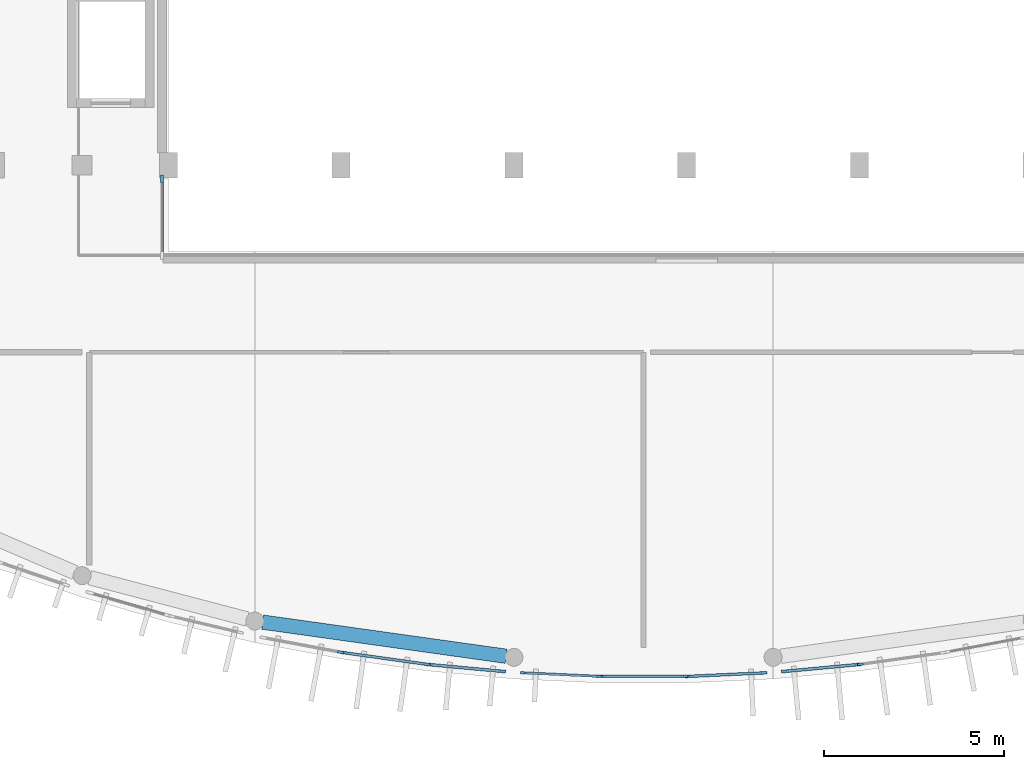
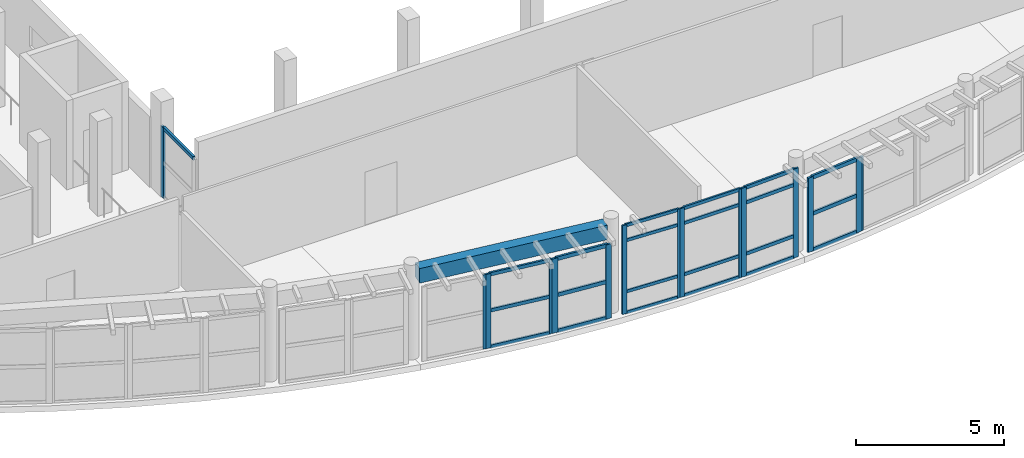
# One storey, part 4 of 32: 37 members, 1 beam, 9 elements without a shape of their own.
"""IFC4 building model written with IfcOpenShell, lengths in metres."""

from ifc_helpers import new_model, si_unit, direction, frame, origin, origin_2d, place, context, subcontext, project, spatial, rectangle, extrude, material, layer, layer_set, material_profile, profile_set, type_object, element, aggregate, save


model = new_model("IFC4")

# Units and contexts
model_context = context("Model", 3, precision=1e-05, world=origin(), true_north=direction((0.0, 1.0)))
body_context = subcontext(model_context, "Body", "Model", "MODEL_VIEW")
ifc_project = project(units=[si_unit("LENGTHUNIT", "METRE"), si_unit("AREAUNIT", "SQUARE_METRE"), si_unit("VOLUMEUNIT", "CUBIC_METRE"), si_unit("PLANEANGLEUNIT", "RADIAN"), si_unit("MASSUNIT", "GRAM", prefix="KILO")], contexts=[model_context])

# Site, building, storey
site_placement = place(None, origin())
site = spatial("IfcSite", under=ifc_project, at=site_placement, CompositionType="ELEMENT")
building_placement = place(site_placement, origin())
building = spatial("IfcBuilding", under=site, at=building_placement, Name="Brisavento Harbour Community Centre", CompositionType="ELEMENT")
storey_placement = place(building_placement, frame((0.0, 0.0, 12.89990234375)))
storey = spatial("IfcBuildingStorey", under=building, at=storey_placement, Name="L03", CompositionType="ELEMENT", Elevation=12.89990234375)

# Beam
ifc_material_1 = material(Name="Concrete C35/45", Category="concrete")
ifc_material_profile_1 = material_profile(ifc_material_1, rectangle(XDim=0.39990234375, YDim=0.60009765625, at=origin_2d()), Name="Concrete C35/45")
ifc_profile_set_1 = profile_set([ifc_material_profile_1], Name="Concrete C35/45")
beam_type = type_object("IfcBeamType", Name="BM-SPN-400x600", PredefinedType="SPANDREL", material=ifc_profile_set_1)
beam_placement = place(storey_placement, frame((14.617919921875, 1.703369140625, 3.360107421875), z_axis=(0.990321318847, -0.138793679386, 0.0), x_axis=(0.138793679386, 0.990321318847, 0.0)))
element("IfcBeam", 1, at=beam_placement, inside=storey, type_object=beam_type, Name="L03 curved perimeter spandrel 0677", PredefinedType="SPANDREL", context=body_context, shape_type="SweptSolid", body=[
    extrude(rectangle(XDim=0.39990234375, YDim=0.60009765625, at=origin_2d()), origin(), (0.0, 0.0, 1.0), 6.830322265625),
])

# Curtain wall, members
ifc_material_2 = material(Name="Marine-anodised aluminium AW-6063-T6", Category="aluminium")
ifc_layer_1 = layer(ifc_material_2, 0.179931640625, Name="Marine-anodised aluminium AW-6063-T6")
ifc_layer_set_1 = layer_set([ifc_layer_1], Name="Marine-anodised aluminium AW-6063-T6")
curtain_wall_type_1 = type_object("IfcCurtainWallType", Name="CW-SYS-21", PredefinedType="USERDEFINED", material=ifc_layer_set_1)
curtain_wall_1_placement = place(storey_placement, origin())
curtain_wall_1 = element("IfcCurtainWall", 2, at=curtain_wall_1_placement, inside=storey, type_object=curtain_wall_type_1, Name="L03 V1 unitised curtain wall 161", ObjectType="UNITISED CURTAIN WALL", PredefinedType="USERDEFINED")
ifc_material_profile_2 = material_profile(ifc_material_2, rectangle(XDim=0.06494140625, YDim=0.1650390625, at=origin_2d()), Name="Marine-anodised aluminium AW-6063-T6")
ifc_profile_set_2 = profile_set([ifc_material_profile_2], Name="Marine-anodised aluminium AW-6063-T6")
member_type_1 = type_object("IfcMemberType", Name="CWM-01", PredefinedType="MULLION", material=ifc_profile_set_2)
member_1_placement = place(storey_placement, frame((23.957763671875, 0.196044921875, 0.0), z_axis=(0.0, 0.0, 1.0), x_axis=(-0.046167846582, -0.998933696469, 0.0)))
member_1 = element("IfcMember", 3, at=member_1_placement, type_object=member_type_1, Name="CW-21 mullion 1", PredefinedType="MULLION", context=body_context, shape_type="SweptSolid", body=[
    extrude(rectangle(XDim=0.06494140625, YDim=0.1650390625, at=origin_2d()), origin(), (0.0, 0.0, 1.0), 3.66015625),
])
member_2_placement = place(storey_placement, frame((21.859130859375, 0.29296875, 0.0), z_axis=(0.0, 0.0, 1.0), x_axis=(-0.046167846582, -0.998933696469, 0.0)))
member_2 = element("IfcMember", 4, at=member_2_placement, type_object=member_type_1, Name="CW-21 mullion 2", PredefinedType="MULLION", context=body_context, shape_type="SweptSolid", body=[
    extrude(rectangle(XDim=0.06494140625, YDim=0.1650390625, at=origin_2d()), origin(), (0.0, 0.0, 1.0), 3.66015625),
])

# Curtain wall, member
ifc_layer_2 = layer(ifc_material_2, 0.179931640625, Name="Marine-anodised aluminium AW-6063-T6")
ifc_layer_set_2 = layer_set([ifc_layer_2], Name="Marine-anodised aluminium AW-6063-T6")
curtain_wall_type_2 = type_object("IfcCurtainWallType", Name="CW-SYS-25", PredefinedType="USERDEFINED", material=ifc_layer_set_2)
curtain_wall_2_placement = place(storey_placement, origin())
curtain_wall_2 = element("IfcCurtainWall", 5, at=curtain_wall_2_placement, inside=storey, type_object=curtain_wall_type_2, Name="L03 V1 unitised curtain wall 165", ObjectType="UNITISED CURTAIN WALL", PredefinedType="USERDEFINED")
member_3_placement = place(storey_placement, frame((31.22509765625, 0.53271484375, 0.0), z_axis=(0.0, 0.0, 1.0), x_axis=(0.138476944024, -0.990365657711, 0.0)))
member_3 = element("IfcMember", 6, at=member_3_placement, type_object=member_type_1, Name="CW-25 mullion 2", PredefinedType="MULLION", context=body_context, shape_type="SweptSolid", body=[
    extrude(rectangle(XDim=0.06494140625, YDim=0.1650390625, at=origin_2d()), origin(), (0.0, 0.0, 1.0), 3.06005859375),
])
aggregate(curtain_wall_2, [member_3])

ifc_layer_3 = layer(ifc_material_2, 0.179931640625, Name="Marine-anodised aluminium AW-6063-T6")
ifc_layer_set_3 = layer_set([ifc_layer_3], Name="Marine-anodised aluminium AW-6063-T6")
curtain_wall_type_3 = type_object("IfcCurtainWallType", Name="CW-SYS-18", PredefinedType="USERDEFINED", material=ifc_layer_set_3)
curtain_wall_3_placement = place(storey_placement, origin())
curtain_wall_3 = element("IfcCurtainWall", 7, at=curtain_wall_3_placement, inside=storey, type_object=curtain_wall_type_3, Name="L03 V1 unitised curtain wall 158", ObjectType="UNITISED CURTAIN WALL", PredefinedType="USERDEFINED")
ifc_material_profile_3 = material_profile(ifc_material_2, rectangle(XDim=0.070068359375, YDim=0.179931640625, at=origin_2d()), Name="Marine-anodised aluminium AW-6063-T6")
ifc_profile_set_3 = profile_set([ifc_material_profile_3], Name="Marine-anodised aluminium AW-6063-T6")
member_type_2 = type_object("IfcMemberType", Name="CWM-02", PredefinedType="MULLION", material=ifc_profile_set_3)
member_4_placement = place(storey_placement, frame((16.781005859375, 0.86962890625, 0.0), z_axis=(0.0, 0.0, 1.0), x_axis=(-0.184689637418, -0.982796895513, 0.0)))
member_4 = element("IfcMember", 8, at=member_4_placement, type_object=member_type_2, Name="CW-18 mullion 1", PredefinedType="MULLION", context=body_context, shape_type="SweptSolid", body=[
    extrude(rectangle(XDim=0.070068359375, YDim=0.179931640625, at=origin_2d()), origin(), (0.0, 0.0, 1.0), 3.06005859375),
])
aggregate(curtain_wall_3, [member_4])

# Curtain wall, members
ifc_layer_4 = layer(ifc_material_2, 0.179931640625, Name="Marine-anodised aluminium AW-6063-T6")
ifc_layer_set_4 = layer_set([ifc_layer_4], Name="Marine-anodised aluminium AW-6063-T6")
curtain_wall_type_4 = type_object("IfcCurtainWallType", Name="CW-SYS-22", PredefinedType="USERDEFINED", material=ifc_layer_set_4)
curtain_wall_4_placement = place(storey_placement, origin())
curtain_wall_4 = element("IfcCurtainWall", 9, at=curtain_wall_4_placement, inside=storey, type_object=curtain_wall_type_4, Name="L03 V1 unitised curtain wall 162", ObjectType="UNITISED CURTAIN WALL", PredefinedType="USERDEFINED")
member_5_placement = place(storey_placement, frame((26.346923828125, 0.19384765625, 0.0), z_axis=(0.0, 0.0, 1.0), x_axis=(0.0, -1.0, 0.0)))
member_5 = element("IfcMember", 10, at=member_5_placement, type_object=member_type_2, Name="CW-22 mullion 1", PredefinedType="MULLION", context=body_context, shape_type="SweptSolid", body=[
    extrude(rectangle(XDim=0.070068359375, YDim=0.179931640625, at=origin_2d()), origin(), (0.0, 0.0, 1.0), 3.66015625),
])
member_6_placement = place(storey_placement, frame((24.052978515625, 0.19384765625, 0.0), z_axis=(0.0, 0.0, 1.0), x_axis=(0.0, -1.0, 0.0)))
member_6 = element("IfcMember", 11, at=member_6_placement, type_object=member_type_2, Name="CW-22 mullion 2", PredefinedType="MULLION", context=body_context, shape_type="SweptSolid", body=[
    extrude(rectangle(XDim=0.070068359375, YDim=0.179931640625, at=origin_2d()), origin(), (0.0, 0.0, 1.0), 3.66015625),
])

ifc_layer_5 = layer(ifc_material_2, 0.179931640625, Name="Marine-anodised aluminium AW-6063-T6")
ifc_layer_set_5 = layer_set([ifc_layer_5], Name="Marine-anodised aluminium AW-6063-T6")
curtain_wall_type_5 = type_object("IfcCurtainWallType", Name="CW-SYS-19", PredefinedType="USERDEFINED", material=ifc_layer_set_5)
curtain_wall_5_placement = place(storey_placement, origin())
curtain_wall_5 = element("IfcCurtainWall", 12, at=curtain_wall_5_placement, inside=storey, type_object=curtain_wall_type_5, Name="L03 V1 unitised curtain wall 159", ObjectType="UNITISED CURTAIN WALL", PredefinedType="USERDEFINED")
ifc_material_profile_4 = material_profile(ifc_material_2, rectangle(XDim=0.074951171875, YDim=0.18994140625, at=origin_2d()), Name="Marine-anodised aluminium AW-6063-T6")
ifc_profile_set_4 = profile_set([ifc_material_profile_4], Name="Marine-anodised aluminium AW-6063-T6")
member_type_3 = type_object("IfcMemberType", Name="CWM-03", PredefinedType="MULLION", material=ifc_profile_set_4)
member_7_placement = place(storey_placement, frame((19.169921875, 0.533203125, 0.0), z_axis=(0.0, 0.0, 1.0), x_axis=(-0.138476944024, -0.990365657711, 0.0)))
member_7 = element("IfcMember", 13, at=member_7_placement, type_object=member_type_3, Name="CW-19 mullion 1", PredefinedType="MULLION", context=body_context, shape_type="SweptSolid", body=[
    extrude(rectangle(XDim=0.074951171875, YDim=0.18994140625, at=origin_2d()), origin(), (0.0, 0.0, 1.0), 3.06005859375),
])
member_8_placement = place(storey_placement, frame((16.8798828125, 0.853515625, 0.0), z_axis=(0.0, 0.0, 1.0), x_axis=(-0.138476944024, -0.990365657711, 0.0)))
member_8 = element("IfcMember", 14, at=member_8_placement, type_object=member_type_3, Name="CW-19 mullion 2", PredefinedType="MULLION", context=body_context, shape_type="SweptSolid", body=[
    extrude(rectangle(XDim=0.074951171875, YDim=0.18994140625, at=origin_2d()), origin(), (0.0, 0.0, 1.0), 3.06005859375),
])

ifc_layer_6 = layer(ifc_material_2, 0.179931640625, Name="Marine-anodised aluminium AW-6063-T6")
ifc_layer_set_6 = layer_set([ifc_layer_6], Name="Marine-anodised aluminium AW-6063-T6")
curtain_wall_type_6 = type_object("IfcCurtainWallType", Name="CW-SYS-23", PredefinedType="USERDEFINED", material=ifc_layer_set_6)
curtain_wall_6_placement = place(storey_placement, origin())
curtain_wall_6 = element("IfcCurtainWall", 15, at=curtain_wall_6_placement, inside=storey, type_object=curtain_wall_type_6, Name="L03 V1 unitised curtain wall 163", ObjectType="UNITISED CURTAIN WALL", PredefinedType="USERDEFINED")
member_9_placement = place(storey_placement, frame((28.535888671875, 0.292724609375, 0.0), z_axis=(0.0, 0.0, 1.0), x_axis=(0.046167846582, -0.998933696469, 0.0)))
member_9 = element("IfcMember", 16, at=member_9_placement, type_object=member_type_3, Name="CW-23 mullion 1", PredefinedType="MULLION", context=body_context, shape_type="SweptSolid", body=[
    extrude(rectangle(XDim=0.074951171875, YDim=0.18994140625, at=origin_2d()), origin(), (0.0, 0.0, 1.0), 3.66015625),
])
member_10_placement = place(storey_placement, frame((26.447265625, 0.1962890625, 0.0), z_axis=(0.0, 0.0, 1.0), x_axis=(0.046167846582, -0.998933696469, 0.0)))
member_10 = element("IfcMember", 17, at=member_10_placement, type_object=member_type_3, Name="CW-23 mullion 2", PredefinedType="MULLION", context=body_context, shape_type="SweptSolid", body=[
    extrude(rectangle(XDim=0.074951171875, YDim=0.18994140625, at=origin_2d()), origin(), (0.0, 0.0, 1.0), 3.66015625),
])

ifc_layer_7 = layer(ifc_material_2, 0.179931640625, Name="Marine-anodised aluminium AW-6063-T6")
ifc_layer_set_7 = layer_set([ifc_layer_7], Name="Marine-anodised aluminium AW-6063-T6")
curtain_wall_type_7 = type_object("IfcCurtainWallType", Name="CW-SYS-20", PredefinedType="USERDEFINED", material=ifc_layer_set_7)
curtain_wall_7_placement = place(storey_placement, origin())
curtain_wall_7 = element("IfcCurtainWall", 18, at=curtain_wall_7_placement, inside=storey, type_object=curtain_wall_type_7, Name="L03 V1 unitised curtain wall 160", ObjectType="UNITISED CURTAIN WALL", PredefinedType="USERDEFINED")
ifc_material_profile_5 = material_profile(ifc_material_2, rectangle(XDim=0.080078125, YDim=0.2099609375, at=origin_2d()), Name="Marine-anodised aluminium AW-6063-T6")
ifc_profile_set_5 = profile_set([ifc_material_profile_5], Name="Marine-anodised aluminium AW-6063-T6")
member_type_4 = type_object("IfcMemberType", Name="CWM-04", PredefinedType="MULLION", material=ifc_profile_set_5)
member_11_placement = place(storey_placement, frame((21.265869140625, 0.336669921875, 0.0), z_axis=(0.0, 0.0, 1.0), x_axis=(-0.092260886159, -0.99573486877, 0.0)))
member_11 = element("IfcMember", 19, at=member_11_placement, type_object=member_type_4, Name="CW-20 mullion 1", PredefinedType="MULLION", context=body_context, shape_type="SweptSolid", body=[
    extrude(rectangle(XDim=0.080078125, YDim=0.2099609375, at=origin_2d()), origin(), (0.0, 0.0, 1.0), 3.06005859375),
])
member_12_placement = place(storey_placement, frame((19.2744140625, 0.52099609375, 0.0), z_axis=(0.0, 0.0, 1.0), x_axis=(-0.092260886159, -0.99573486877, 0.0)))
member_12 = element("IfcMember", 20, at=member_12_placement, type_object=member_type_4, Name="CW-20 mullion 2", PredefinedType="MULLION", context=body_context, shape_type="SweptSolid", body=[
    extrude(rectangle(XDim=0.080078125, YDim=0.2099609375, at=origin_2d()), origin(), (0.0, 0.0, 1.0), 3.06005859375),
])

ifc_layer_8 = layer(ifc_material_2, 0.179931640625, Name="Marine-anodised aluminium AW-6063-T6")
ifc_layer_set_8 = layer_set([ifc_layer_8], Name="Marine-anodised aluminium AW-6063-T6")
curtain_wall_type_8 = type_object("IfcCurtainWallType", Name="CW-SYS-24", PredefinedType="USERDEFINED", material=ifc_layer_set_8)
curtain_wall_8_placement = place(storey_placement, origin())
curtain_wall_8 = element("IfcCurtainWall", 21, at=curtain_wall_8_placement, inside=storey, type_object=curtain_wall_type_8, Name="L03 V1 unitised curtain wall 164", ObjectType="UNITISED CURTAIN WALL", PredefinedType="USERDEFINED")
member_13_placement = place(storey_placement, frame((31.125732421875, 0.52099609375, 0.0), z_axis=(0.0, 0.0, 1.0), x_axis=(0.092260886159, -0.99573486877, 0.0)))
member_13 = element("IfcMember", 22, at=member_13_placement, type_object=member_type_4, Name="CW-24 mullion 1", PredefinedType="MULLION", context=body_context, shape_type="SweptSolid", body=[
    extrude(rectangle(XDim=0.080078125, YDim=0.2099609375, at=origin_2d()), origin(), (0.0, 0.0, 1.0), 3.06005859375),
])
member_14_placement = place(storey_placement, frame((29.13427734375, 0.336669921875, 0.0), z_axis=(0.0, 0.0, 1.0), x_axis=(0.092260886159, -0.99573486877, 0.0)))
member_14 = element("IfcMember", 23, at=member_14_placement, type_object=member_type_4, Name="CW-24 mullion 2", PredefinedType="MULLION", context=body_context, shape_type="SweptSolid", body=[
    extrude(rectangle(XDim=0.080078125, YDim=0.2099609375, at=origin_2d()), origin(), (0.0, 0.0, 1.0), 3.06005859375),
])

# Curtain wall, member
ifc_layer_9 = layer(ifc_material_2, 0.179931640625, Name="Marine-anodised aluminium AW-6063-T6")
ifc_layer_set_9 = layer_set([ifc_layer_9], Name="Marine-anodised aluminium AW-6063-T6")
curtain_wall_type_9 = type_object("IfcCurtainWallType", Name="CW-SYS-08", PredefinedType="USERDEFINED", material=ifc_layer_set_9)
curtain_wall_9_placement = place(storey_placement, origin())
curtain_wall_9 = element("IfcCurtainWall", 24, at=curtain_wall_9_placement, inside=storey, type_object=curtain_wall_type_9, Name="L03 V1 unitised curtain wall 176", ObjectType="UNITISED CURTAIN WALL", PredefinedType="USERDEFINED")
member_15_placement = place(storey_placement, frame((11.820068359375, 14.02490234375, 0.0), z_axis=(0.0, 0.0, 1.0), x_axis=(1.0, 0.0, 0.0)))
member_15 = element("IfcMember", 25, at=member_15_placement, type_object=member_type_4, Name="CW-08 mullion 1", PredefinedType="MULLION", context=body_context, shape_type="SweptSolid", body=[
    extrude(rectangle(XDim=0.080078125, YDim=0.2099609375, at=origin_2d()), origin(), (0.0, 0.0, 1.0), 2.900146484375),
])

# Member
ifc_material_profile_6 = material_profile(ifc_material_2, rectangle(XDim=0.06494140625, YDim=0.125, at=origin_2d()), Name="Marine-anodised aluminium AW-6063-T6")
ifc_profile_set_6 = profile_set([ifc_material_profile_6], Name="Marine-anodised aluminium AW-6063-T6")
member_type_5 = type_object("IfcMemberType", Name="CWT-01", PredefinedType="USERDEFINED", material=ifc_profile_set_6)
member_16_placement = place(storey_placement, frame((23.92529296875, 0.197509765625, 0.03271484375), z_axis=(-0.998933633845, 0.046169201564, 0.0), x_axis=(-0.046169201564, -0.998933633845, 0.0)))
member_16 = element("IfcMember", 26, at=member_16_placement, type_object=member_type_5, Name="CW-21 transom 1.1", ObjectType="TRANSOM", PredefinedType="USERDEFINED", context=body_context, shape_type="SweptSolid", body=[
    extrude(rectangle(XDim=0.06494140625, YDim=0.125, at=origin_2d()), origin(), (0.0, 0.0, 1.0), 2.035888671875),
])

member_17_placement = place(storey_placement, frame((23.92529296875, 0.197509765625, 0.900146484375), z_axis=(-0.998933633845, 0.046169201564, 0.0), x_axis=(-0.046169201564, -0.998933633845, 0.0)))
member_17 = element("IfcMember", 27, at=member_17_placement, type_object=member_type_5, Name="CW-21 transom 1.2", ObjectType="TRANSOM", PredefinedType="USERDEFINED", context=body_context, shape_type="SweptSolid", body=[
    extrude(rectangle(XDim=0.06494140625, YDim=0.125, at=origin_2d()), origin(), (0.0, 0.0, 1.0), 2.035888671875),
])

member_18_placement = place(storey_placement, frame((23.92529296875, 0.197509765625, 3.010009765625), z_axis=(-0.998933633845, 0.046169201564, 0.0), x_axis=(-0.046169201564, -0.998933633845, 0.0)))
member_18 = element("IfcMember", 28, at=member_18_placement, type_object=member_type_5, Name="CW-21 transom 1.3", ObjectType="TRANSOM", PredefinedType="USERDEFINED", context=body_context, shape_type="SweptSolid", body=[
    extrude(rectangle(XDim=0.06494140625, YDim=0.125, at=origin_2d()), origin(), (0.0, 0.0, 1.0), 2.035888671875),
])

member_19_placement = place(storey_placement, frame((23.92529296875, 0.197509765625, 3.627685546875), z_axis=(-0.998933633845, 0.046169201564, 0.0), x_axis=(-0.046169201564, -0.998933633845, 0.0)))
member_19 = element("IfcMember", 29, at=member_19_placement, type_object=member_type_5, Name="CW-21 transom 1.4", ObjectType="TRANSOM", PredefinedType="USERDEFINED", context=body_context, shape_type="SweptSolid", body=[
    extrude(rectangle(XDim=0.06494140625, YDim=0.125, at=origin_2d()), origin(), (0.0, 0.0, 1.0), 2.035888671875),
])

aggregate(curtain_wall_1, [member_1, member_2, member_16, member_17, member_18, member_19])

ifc_material_profile_7 = material_profile(ifc_material_2, rectangle(XDim=0.070068359375, YDim=0.132080078125, at=origin_2d()), Name="Marine-anodised aluminium AW-6063-T6")
ifc_profile_set_7 = profile_set([ifc_material_profile_7], Name="Marine-anodised aluminium AW-6063-T6")
member_type_6 = type_object("IfcMemberType", Name="CWT-02", PredefinedType="USERDEFINED", material=ifc_profile_set_7)
member_20_placement = place(storey_placement, frame((26.31201171875, 0.19384765625, 0.03515625), z_axis=(-1.0, 0.0, 0.0), x_axis=(0.0, -1.0, 0.0)))
member_20 = element("IfcMember", 30, at=member_20_placement, type_object=member_type_6, Name="CW-22 transom 1.1", ObjectType="TRANSOM", PredefinedType="USERDEFINED", context=body_context, shape_type="SweptSolid", body=[
    extrude(rectangle(XDim=0.070068359375, YDim=0.132080078125, at=origin_2d()), origin(), (0.0, 0.0, 1.0), 2.22412109375),
])

member_21_placement = place(storey_placement, frame((26.31201171875, 0.19384765625, 0.900146484375), z_axis=(-1.0, 0.0, 0.0), x_axis=(0.0, -1.0, 0.0)))
member_21 = element("IfcMember", 31, at=member_21_placement, type_object=member_type_6, Name="CW-22 transom 1.2", ObjectType="TRANSOM", PredefinedType="USERDEFINED", context=body_context, shape_type="SweptSolid", body=[
    extrude(rectangle(XDim=0.070068359375, YDim=0.132080078125, at=origin_2d()), origin(), (0.0, 0.0, 1.0), 2.22412109375),
])

member_22_placement = place(storey_placement, frame((26.31201171875, 0.19384765625, 3.010009765625), z_axis=(-1.0, 0.0, 0.0), x_axis=(0.0, -1.0, 0.0)))
member_22 = element("IfcMember", 32, at=member_22_placement, type_object=member_type_6, Name="CW-22 transom 1.3", ObjectType="TRANSOM", PredefinedType="USERDEFINED", context=body_context, shape_type="SweptSolid", body=[
    extrude(rectangle(XDim=0.070068359375, YDim=0.132080078125, at=origin_2d()), origin(), (0.0, 0.0, 1.0), 2.22412109375),
])

member_23_placement = place(storey_placement, frame((26.31201171875, 0.19384765625, 3.625), z_axis=(-1.0, 0.0, 0.0), x_axis=(0.0, -1.0, 0.0)))
member_23 = element("IfcMember", 33, at=member_23_placement, type_object=member_type_6, Name="CW-22 transom 1.4", ObjectType="TRANSOM", PredefinedType="USERDEFINED", context=body_context, shape_type="SweptSolid", body=[
    extrude(rectangle(XDim=0.070068359375, YDim=0.132080078125, at=origin_2d()), origin(), (0.0, 0.0, 1.0), 2.22412109375),
])

aggregate(curtain_wall_4, [member_5, member_6, member_20, member_21, member_22, member_23])

ifc_material_profile_8 = material_profile(ifc_material_2, rectangle(XDim=0.074951171875, YDim=0.139892578125, at=origin_2d()), Name="Marine-anodised aluminium AW-6063-T6")
ifc_profile_set_8 = profile_set([ifc_material_profile_8], Name="Marine-anodised aluminium AW-6063-T6")
member_type_7 = type_object("IfcMemberType", Name="CWT-03", PredefinedType="USERDEFINED", material=ifc_profile_set_8)
member_24_placement = place(storey_placement, frame((19.1328125, 0.53857421875, 0.03759765625), z_axis=(-0.990366303286, 0.138472326892, 0.0), x_axis=(-0.138472326892, -0.990366303286, 0.0)))
member_24 = element("IfcMember", 34, at=member_24_placement, type_object=member_type_7, Name="CW-19 transom 1.1", ObjectType="TRANSOM", PredefinedType="USERDEFINED", context=body_context, shape_type="SweptSolid", body=[
    extrude(rectangle(XDim=0.074951171875, YDim=0.139892578125, at=origin_2d()), origin(), (0.0, 0.0, 1.0), 2.2373046875),
])

member_25_placement = place(storey_placement, frame((19.1328125, 0.53857421875, 1.530029296875), z_axis=(-0.990366303286, 0.138472326892, 0.0), x_axis=(-0.138472326892, -0.990366303286, 0.0)))
member_25 = element("IfcMember", 35, at=member_25_placement, type_object=member_type_7, Name="CW-19 transom 1.2", ObjectType="TRANSOM", PredefinedType="USERDEFINED", context=body_context, shape_type="SweptSolid", body=[
    extrude(rectangle(XDim=0.074951171875, YDim=0.139892578125, at=origin_2d()), origin(), (0.0, 0.0, 1.0), 2.2373046875),
])

member_26_placement = place(storey_placement, frame((19.1328125, 0.53857421875, 3.022705078125), z_axis=(-0.990366303286, 0.138472326892, 0.0), x_axis=(-0.138472326892, -0.990366303286, 0.0)))
member_26 = element("IfcMember", 36, at=member_26_placement, type_object=member_type_7, Name="CW-19 transom 1.3", ObjectType="TRANSOM", PredefinedType="USERDEFINED", context=body_context, shape_type="SweptSolid", body=[
    extrude(rectangle(XDim=0.074951171875, YDim=0.139892578125, at=origin_2d()), origin(), (0.0, 0.0, 1.0), 2.2373046875),
])

aggregate(curtain_wall_5, [member_7, member_8, member_24, member_25, member_26])

member_27_placement = place(storey_placement, frame((28.49853515625, 0.291015625, 0.03759765625), z_axis=(-0.99893506482, -0.046138230052, 0.0), x_axis=(0.046138230052, -0.99893506482, 0.0)))
member_27 = element("IfcMember", 37, at=member_27_placement, type_object=member_type_7, Name="CW-23 transom 1.1", ObjectType="TRANSOM", PredefinedType="USERDEFINED", context=body_context, shape_type="SweptSolid", body=[
    extrude(rectangle(XDim=0.074951171875, YDim=0.139892578125, at=origin_2d()), origin(), (0.0, 0.0, 1.0), 2.01611328125),
])

member_28_placement = place(storey_placement, frame((28.49853515625, 0.291015625, 0.900146484375), z_axis=(-0.99893506482, -0.046138230052, 0.0), x_axis=(0.046138230052, -0.99893506482, 0.0)))
member_28 = element("IfcMember", 38, at=member_28_placement, type_object=member_type_7, Name="CW-23 transom 1.2", ObjectType="TRANSOM", PredefinedType="USERDEFINED", context=body_context, shape_type="SweptSolid", body=[
    extrude(rectangle(XDim=0.074951171875, YDim=0.139892578125, at=origin_2d()), origin(), (0.0, 0.0, 1.0), 2.01611328125),
])

member_29_placement = place(storey_placement, frame((28.49853515625, 0.291015625, 3.010009765625), z_axis=(-0.99893506482, -0.046138230052, 0.0), x_axis=(0.046138230052, -0.99893506482, 0.0)))
member_29 = element("IfcMember", 39, at=member_29_placement, type_object=member_type_7, Name="CW-23 transom 1.3", ObjectType="TRANSOM", PredefinedType="USERDEFINED", context=body_context, shape_type="SweptSolid", body=[
    extrude(rectangle(XDim=0.074951171875, YDim=0.139892578125, at=origin_2d()), origin(), (0.0, 0.0, 1.0), 2.01611328125),
])

member_30_placement = place(storey_placement, frame((28.49853515625, 0.291015625, 3.62255859375), z_axis=(-0.99893506482, -0.046138230052, 0.0), x_axis=(0.046138230052, -0.99893506482, 0.0)))
member_30 = element("IfcMember", 40, at=member_30_placement, type_object=member_type_7, Name="CW-23 transom 1.4", ObjectType="TRANSOM", PredefinedType="USERDEFINED", context=body_context, shape_type="SweptSolid", body=[
    extrude(rectangle(XDim=0.074951171875, YDim=0.139892578125, at=origin_2d()), origin(), (0.0, 0.0, 1.0), 2.01611328125),
])

aggregate(curtain_wall_6, [member_9, member_10, member_27, member_28, member_29, member_30])

ifc_material_profile_9 = material_profile(ifc_material_2, rectangle(XDim=0.080078125, YDim=0.155029296875, at=origin_2d()), Name="Marine-anodised aluminium AW-6063-T6")
ifc_profile_set_9 = profile_set([ifc_material_profile_9], Name="Marine-anodised aluminium AW-6063-T6")
member_type_8 = type_object("IfcMemberType", Name="CWT-04", PredefinedType="USERDEFINED", material=ifc_profile_set_9)
member_31_placement = place(storey_placement, frame((21.225830078125, 0.34033203125, 0.0400390625), z_axis=(-0.995740674056, 0.092198210561, 0.0), x_axis=(-0.092198210561, -0.995740674056, 0.0)))
member_31 = element("IfcMember", 41, at=member_31_placement, type_object=member_type_8, Name="CW-20 transom 1.1", ObjectType="TRANSOM", PredefinedType="USERDEFINED", context=body_context, shape_type="SweptSolid", body=[
    extrude(rectangle(XDim=0.080078125, YDim=0.155029296875, at=origin_2d()), origin(), (0.0, 0.0, 1.0), 1.919677734375),
])

member_32_placement = place(storey_placement, frame((21.225830078125, 0.34033203125, 1.530029296875), z_axis=(-0.995740674056, 0.092198210561, 0.0), x_axis=(-0.092198210561, -0.995740674056, 0.0)))
member_32 = element("IfcMember", 42, at=member_32_placement, type_object=member_type_8, Name="CW-20 transom 1.2", ObjectType="TRANSOM", PredefinedType="USERDEFINED", context=body_context, shape_type="SweptSolid", body=[
    extrude(rectangle(XDim=0.080078125, YDim=0.155029296875, at=origin_2d()), origin(), (0.0, 0.0, 1.0), 1.919677734375),
])

member_33_placement = place(storey_placement, frame((21.225830078125, 0.34033203125, 3.02001953125), z_axis=(-0.995740674056, 0.092198210561, 0.0), x_axis=(-0.092198210561, -0.995740674056, 0.0)))
member_33 = element("IfcMember", 43, at=member_33_placement, type_object=member_type_8, Name="CW-20 transom 1.3", ObjectType="TRANSOM", PredefinedType="USERDEFINED", context=body_context, shape_type="SweptSolid", body=[
    extrude(rectangle(XDim=0.080078125, YDim=0.155029296875, at=origin_2d()), origin(), (0.0, 0.0, 1.0), 1.919677734375),
])

aggregate(curtain_wall_7, [member_11, member_12, member_31, member_32, member_33])

member_34_placement = place(storey_placement, frame((31.0859375, 0.517333984375, 0.0400390625), z_axis=(-0.99574175486, -0.092186537131, 0.0), x_axis=(0.092186537131, -0.99574175486, 0.0)))
member_34 = element("IfcMember", 44, at=member_34_placement, type_object=member_type_8, Name="CW-24 transom 1.1", ObjectType="TRANSOM", PredefinedType="USERDEFINED", context=body_context, shape_type="SweptSolid", body=[
    extrude(rectangle(XDim=0.080078125, YDim=0.155029296875, at=origin_2d()), origin(), (0.0, 0.0, 1.0), 1.919921875),
])

member_35_placement = place(storey_placement, frame((31.0859375, 0.517333984375, 1.530029296875), z_axis=(-0.99574175486, -0.092186537131, 0.0), x_axis=(0.092186537131, -0.99574175486, 0.0)))
member_35 = element("IfcMember", 45, at=member_35_placement, type_object=member_type_8, Name="CW-24 transom 1.2", ObjectType="TRANSOM", PredefinedType="USERDEFINED", context=body_context, shape_type="SweptSolid", body=[
    extrude(rectangle(XDim=0.080078125, YDim=0.155029296875, at=origin_2d()), origin(), (0.0, 0.0, 1.0), 1.919921875),
])

member_36_placement = place(storey_placement, frame((31.0859375, 0.517333984375, 3.02001953125), z_axis=(-0.99574175486, -0.092186537131, 0.0), x_axis=(0.092186537131, -0.99574175486, 0.0)))
member_36 = element("IfcMember", 46, at=member_36_placement, type_object=member_type_8, Name="CW-24 transom 1.3", ObjectType="TRANSOM", PredefinedType="USERDEFINED", context=body_context, shape_type="SweptSolid", body=[
    extrude(rectangle(XDim=0.080078125, YDim=0.155029296875, at=origin_2d()), origin(), (0.0, 0.0, 1.0), 1.919921875),
])

aggregate(curtain_wall_8, [member_13, member_14, member_34, member_35, member_36])

member_37_placement = place(storey_placement, frame((11.820068359375, 13.985107421875, 2.860107421875), z_axis=(0.0, -1.0, 0.0), x_axis=(1.0, 0.0, 0.0)))
member_37 = element("IfcMember", 47, at=member_37_placement, type_object=member_type_8, Name="CW-08 transom 1.3", ObjectType="TRANSOM", PredefinedType="USERDEFINED", context=body_context, shape_type="SweptSolid", body=[
    extrude(rectangle(XDim=0.080078125, YDim=0.155029296875, at=origin_2d()), origin(), (0.0, 0.0, 1.0), 2.05517578125),
])

aggregate(curtain_wall_9, [member_15, member_37])

save(model, "model.ifc")
